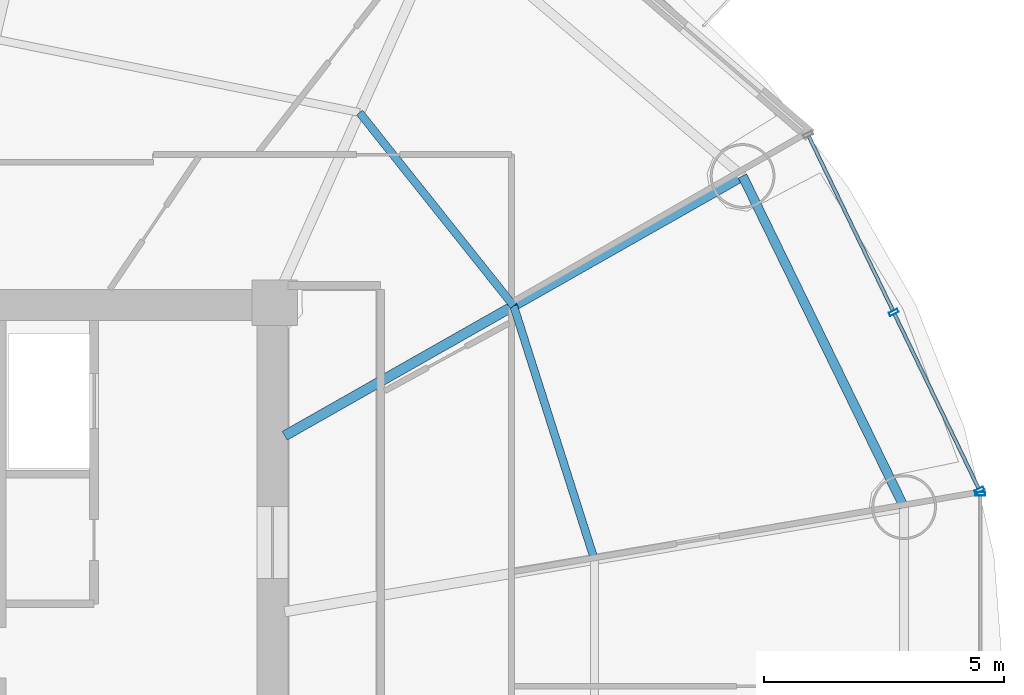
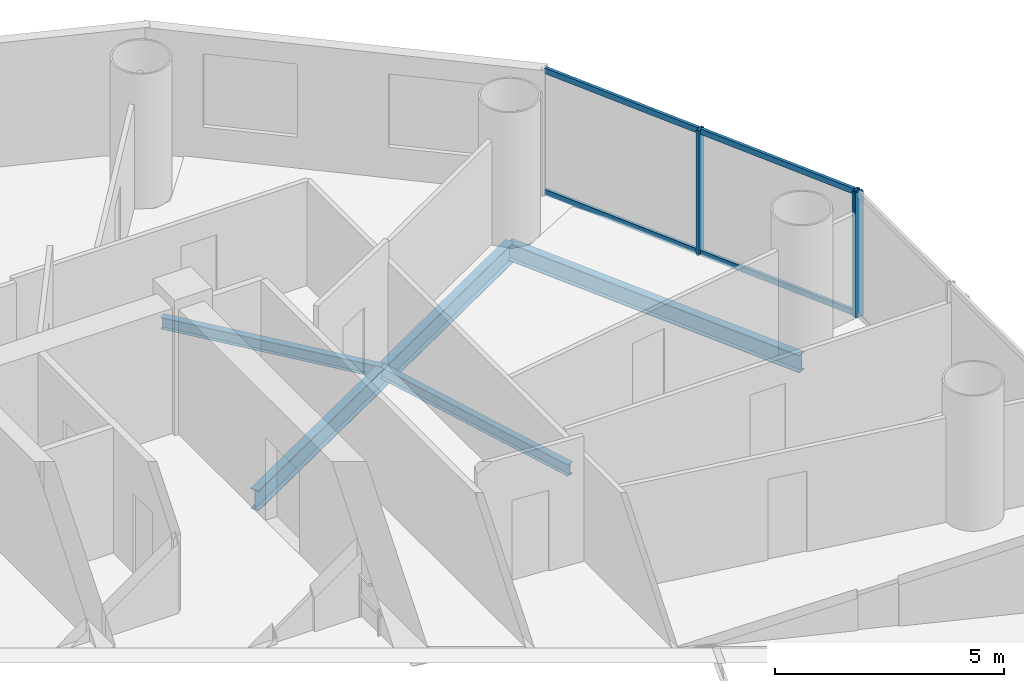
# One storey, part 12 of 26: 7 members, 4 beams, 2 elements without a shape of their own.
"""IFC4 building model written with IfcOpenShell, lengths in metres."""

from ifc_helpers import new_model, si_unit, direction, frame, origin, origin_2d, place, context, subcontext, project, spatial, hollow_rectangle, i_section, extrude, source, transform, mapped, material, material_profile, profile_set, type_object, element, aggregate, save


model = new_model("IFC4")

# Units and contexts
model_context = context("Model", 3, precision=1e-05, world=origin(), true_north=direction((-0.2419218956, 0.970295726276)))
body_context = subcontext(model_context, "Body", "Model", "MODEL_VIEW")
ifc_project = project(units=[si_unit("LENGTHUNIT", "METRE"), si_unit("AREAUNIT", "SQUARE_METRE"), si_unit("VOLUMEUNIT", "CUBIC_METRE"), si_unit("PLANEANGLEUNIT", "RADIAN"), si_unit("MASSUNIT", "GRAM", prefix="KILO")], contexts=[model_context])

# Site, building, storey
site_placement = place(None, origin())
site = spatial("IfcSite", under=ifc_project, at=site_placement, CompositionType="ELEMENT")
building_placement = place(site_placement, origin())
building = spatial("IfcBuilding", under=site, at=building_placement, Name="Cobrevalo Terracotta Tower", CompositionType="ELEMENT")
storey_placement = place(building_placement, frame((0.0, 0.0, 167.800048828125)))
storey = spatial("IfcBuildingStorey", under=building, at=storey_placement, Name="L44", CompositionType="ELEMENT", Elevation=167.800048828125)

# Beams
ifc_material_1 = material(Name="Steel S355", Category="steel")
ifc_material_profile_1 = material_profile(ifc_material_1, i_section(OverallWidth=0.2109375, OverallDepth=0.5390625, WebThickness=0.01171875, FlangeThickness=0.018798828125, at=origin_2d()), Name="W 530x109")
ifc_profile_set_1 = profile_set([ifc_material_profile_1], Name="Steel S355")
beam_type_1 = type_object("IfcBeamType", Name="Structural Beam W 530x109 (Steel S355)", PredefinedType="BEAM", material=ifc_profile_set_1)
beam_1_placement = place(storey_placement, frame((56.749755859375, 37.439208984375, -0.53955078125), z_axis=(-0.869734177783, -0.493520475762, 0.0), x_axis=(0.493520475762, -0.869734177783, 0.0)))
element("IfcBeam", 1, at=beam_1_placement, inside=storey, type_object=beam_type_1, Name="L44 radial floor girder 02", PredefinedType="BEAM", context=body_context, shape_type="SweptSolid", body=[
    extrude(i_section(OverallWidth=0.2109375, OverallDepth=0.5390625, WebThickness=0.01171875, FlangeThickness=0.018798828125, at=origin_2d()), origin(), (0.0, 0.0, 1.0), 10.974365234375),
])
ifc_material_profile_2 = material_profile(ifc_material_1, i_section(OverallWidth=0.1650390625, OverallDepth=0.31005859375, WebThickness=0.005859375, FlangeThickness=0.009765625, at=origin_2d()), Name="W 310x38.7")
ifc_profile_set_2 = profile_set([ifc_material_profile_2], Name="Steel S355")
beam_type_2 = type_object("IfcBeamType", Name="Structural Joist W 310x38.7 (Steel S355)", PredefinedType="JOIST", material=ifc_profile_set_2)
beam_2_placement = place(storey_placement, frame((53.660888671875, 29.445556640625, -0.425048828125), z_axis=(-0.303497928386, 0.952832098255, 0.0), x_axis=(-0.952832098255, -0.303497928386, 0.0)))
element("IfcBeam", 2, at=beam_2_placement, inside=storey, type_object=beam_type_2, Name="L44 circumferential secondary floor joist 01", PredefinedType="JOIST", context=body_context, shape_type="SweptSolid", body=[
    extrude(i_section(OverallWidth=0.1650390625, OverallDepth=0.31005859375, WebThickness=0.005859375, FlangeThickness=0.009765625, at=origin_2d()), origin(), (0.0, 0.0, 1.0), 5.54736328125),
])
beam_3_placement = place(storey_placement, frame((51.977294921875, 34.731201171875, -0.425048828125), z_axis=(-0.62340602772, 0.781898282773, 0.0), x_axis=(-0.781898282773, -0.62340602772, 0.0)))
element("IfcBeam", 3, at=beam_3_placement, inside=storey, type_object=beam_type_2, Name="L44 circumferential secondary floor joist 02", PredefinedType="JOIST", context=body_context, shape_type="SweptSolid", body=[
    extrude(i_section(OverallWidth=0.1650390625, OverallDepth=0.31005859375, WebThickness=0.005859375, FlangeThickness=0.009765625, at=origin_2d()), origin(), (0.0, 0.0, 1.0), 5.154052734375),
])
ifc_material_profile_3 = material_profile(ifc_material_1, i_section(OverallWidth=0.194091796875, OverallDepth=0.468994140625, WebThickness=0.011474609375, FlangeThickness=0.0205078125, at=origin_2d()), Name="W 460x106")
ifc_profile_set_3 = profile_set([ifc_material_profile_3], Name="Steel S355")
beam_type_3 = type_object("IfcBeamType", Name="Structural Spandrel W 460x106 (Steel S355)", PredefinedType="SPANDREL", material=ifc_profile_set_3)
beam_4_placement = place(storey_placement, frame((60.11669921875, 30.535888671875, -0.504638671875), z_axis=(-0.438367894028, 0.89879563277, 0.0), x_axis=(-0.89879563277, -0.438367894028, 0.0)))
element("IfcBeam", 4, at=beam_4_placement, inside=storey, type_object=beam_type_3, Name="L44 perimeter ring spandrel 01", PredefinedType="SPANDREL", context=body_context, shape_type="SweptSolid", body=[
    extrude(i_section(OverallWidth=0.194091796875, OverallDepth=0.468994140625, WebThickness=0.011474609375, FlangeThickness=0.0205078125, at=origin_2d()), origin(), (0.0, 0.0, 1.0), 7.6806640625),
])

# Curtain wall, members
ifc_material_2 = material(Name="Anodized aluminium", Category="aluminium")
curtain_wall_type = type_object("IfcCurtainWallType", Name="Mid-tower high-wind unitised curtain wall CW-U2", PredefinedType="NOTDEFINED", material=ifc_material_2)
curtain_wall_1_placement = place(storey_placement, origin())
curtain_wall_1 = element("IfcCurtainWall", 5, at=curtain_wall_1_placement, inside=storey, type_object=curtain_wall_type, Name="L44 curtain wall CW-L44-S01", PredefinedType="NOTDEFINED")
ifc_material_profile_4 = material_profile(ifc_material_2, hollow_rectangle(XDim=0.074951171875, YDim=0.14990234375, WallThickness=0.00439453125, at=origin_2d()), Name="CWT 75x150")
ifc_profile_set_4 = profile_set([ifc_material_profile_4], Name="Anodized aluminium")
member_type_1 = type_object("IfcMemberType", Name="Tower unitised aluminium transom 75x150", PredefinedType="USERDEFINED", material=ifc_profile_set_4)
shared_shape_1 = source(origin(), body_context, "Body", "SweptSolid", [
    extrude(hollow_rectangle(XDim=0.074951171875, YDim=0.14990234375, WallThickness=0.00439453125, at=origin_2d()), origin(), (0.0, 0.0, 1.0), 4.035888671875),
])
member_1_placement = place(storey_placement, frame((61.6708984375, 30.924072265625, 0.050048828125), z_axis=(-0.434221176581, 0.900806288726, 0.0), x_axis=(-0.900806288726, -0.434221176581, 0.0)))
member_1 = element("IfcMember", 6, at=member_1_placement, type_object=member_type_1, Name="CW-L44-S01 transom B01-T1", ObjectType="TRANSOM", PredefinedType="USERDEFINED", context=body_context, shape_type="MappedRepresentation", body=[
    mapped(shared_shape_1, transform((0.0, 0.0, 0.0), scale=1.0)),
])
member_2_placement = place(storey_placement, frame((61.6708984375, 30.924072265625, 3.280029296875), z_axis=(-0.434221176581, 0.900806288726, 0.0), x_axis=(-0.900806288726, -0.434221176581, 0.0)))
member_2 = element("IfcMember", 7, at=member_2_placement, type_object=member_type_1, Name="CW-L44-S01 transom B01-T2", ObjectType="TRANSOM", PredefinedType="USERDEFINED", context=body_context, shape_type="MappedRepresentation", body=[
    mapped(shared_shape_1, transform((0.0, 0.0, 0.0), scale=1.0)),
])
member_3_placement = place(storey_placement, frame((59.8837890625, 34.631591796875, 0.050048828125), z_axis=(-0.434221176581, 0.900806288726, 0.0), x_axis=(-0.900806288726, -0.434221176581, 0.0)))
member_3 = element("IfcMember", 8, at=member_3_placement, type_object=member_type_1, Name="CW-L44-S01 transom B02-T1", ObjectType="TRANSOM", PredefinedType="USERDEFINED", context=body_context, shape_type="MappedRepresentation", body=[
    mapped(shared_shape_1, transform((0.0, 0.0, 0.0), scale=1.0)),
])
member_4_placement = place(storey_placement, frame((59.8837890625, 34.631591796875, 3.280029296875), z_axis=(-0.434221176581, 0.900806288726, 0.0), x_axis=(-0.900806288726, -0.434221176581, 0.0)))
member_4 = element("IfcMember", 9, at=member_4_placement, type_object=member_type_1, Name="CW-L44-S01 transom B02-T2", ObjectType="TRANSOM", PredefinedType="USERDEFINED", context=body_context, shape_type="MappedRepresentation", body=[
    mapped(shared_shape_1, transform((0.0, 0.0, 0.0), scale=1.0)),
])
ifc_material_profile_5 = material_profile(ifc_material_2, hollow_rectangle(XDim=0.074951171875, YDim=0.199951171875, WallThickness=0.0048828125, at=origin_2d()), Name="CWM 75x200")
ifc_profile_set_5 = profile_set([ifc_material_profile_5], Name="Anodized aluminium")
member_type_2 = type_object("IfcMemberType", Name="Lower/mid tower unitised mullion 75x200", PredefinedType="MULLION", material=ifc_profile_set_5)
shared_shape_2 = source(origin(), body_context, "Body", "SweptSolid", [
    extrude(hollow_rectangle(XDim=0.074951171875, YDim=0.199951171875, WallThickness=0.0048828125, at=origin_2d()), origin(), (0.0, 0.0, 1.0), 3.329833984375),
])
member_5_placement = place(storey_placement, frame((61.688232421875, 30.887939453125, 0.0), z_axis=(0.0, 0.0, 1.0), x_axis=(-0.434209440271, 0.900811945957, 0.0)))
member_5 = element("IfcMember", 10, at=member_5_placement, type_object=member_type_2, Name="CW-L44-S01 vertical mullion 01", PredefinedType="MULLION", context=body_context, shape_type="MappedRepresentation", body=[
    mapped(shared_shape_2, transform((0.0, 0.0, 0.0), scale=1.0)),
])
member_6_placement = place(storey_placement, frame((59.901123046875, 34.595703125, 0.0), z_axis=(0.0, 0.0, 1.0), x_axis=(-0.434209440271, 0.900811945957, 0.0)))
member_6 = element("IfcMember", 11, at=member_6_placement, type_object=member_type_2, Name="CW-L44-S01 vertical mullion 02", PredefinedType="MULLION", context=body_context, shape_type="MappedRepresentation", body=[
    mapped(shared_shape_2, transform((0.0, 0.0, 0.0), scale=1.0)),
])
aggregate(curtain_wall_1, [member_5, member_6, member_1, member_2, member_3, member_4])

# Curtain wall, member
curtain_wall_2_placement = place(storey_placement, origin())
curtain_wall_2 = element("IfcCurtainWall", 12, at=curtain_wall_2_placement, inside=storey, type_object=curtain_wall_type, Name="L44 curtain wall CW-L44-S16", PredefinedType="NOTDEFINED")
member_7_placement = place(storey_placement, frame((61.70556640625, 30.81201171875, 0.0), z_axis=(0.0, 0.0, 1.0), x_axis=(0.0, 1.0, 0.0)))
member_7 = element("IfcMember", 13, at=member_7_placement, type_object=member_type_2, Name="CW-L44-S16 vertical mullion 03", PredefinedType="MULLION", context=body_context, shape_type="MappedRepresentation", body=[
    mapped(shared_shape_2, transform((0.0, 0.0, 0.0), scale=1.0)),
])
aggregate(curtain_wall_2, [member_7])

save(model, "model.ifc")
